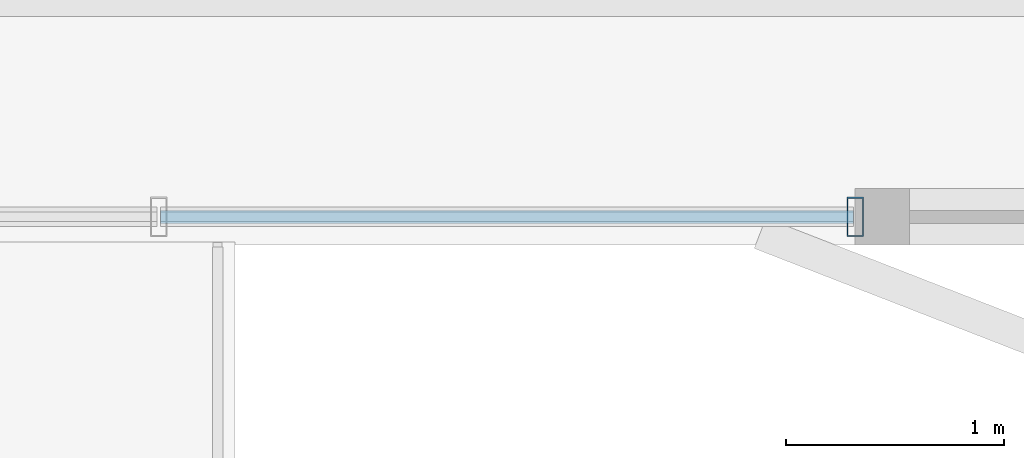
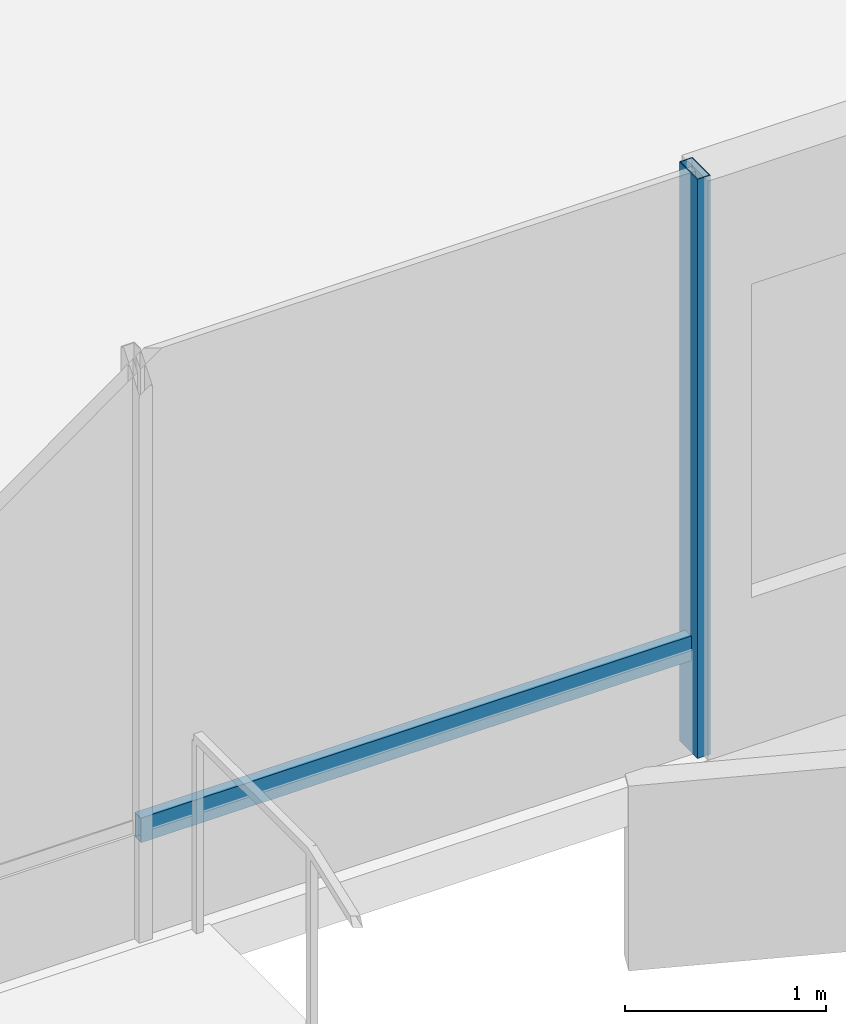
# One storey, part 4 of 20: 2 members, 1 element without a shape of its own.
"""IFC4 building model written with IfcOpenShell, lengths in metres."""

from ifc_helpers import new_model, si_unit, direction, frame, origin, origin_2d, place, context, subcontext, project, spatial, hollow_rectangle, extrude, material, layer, layer_set, material_profile, profile_set, type_object, element, aggregate, save


model = new_model("IFC4")

# Units and contexts
model_context = context("Model", 3, precision=1e-05, world=origin(), true_north=direction((0.0, 1.0)))
body_context = subcontext(model_context, "Body", "Model", "MODEL_VIEW")
ifc_project = project(units=[si_unit("LENGTHUNIT", "METRE"), si_unit("AREAUNIT", "SQUARE_METRE"), si_unit("VOLUMEUNIT", "CUBIC_METRE"), si_unit("PLANEANGLEUNIT", "RADIAN"), si_unit("MASSUNIT", "GRAM", prefix="KILO")], contexts=[model_context])

# Site, building, storey
site_placement = place(None, origin())
site = spatial("IfcSite", under=ifc_project, at=site_placement, CompositionType="ELEMENT")
building_placement = place(site_placement, origin())
building = spatial("IfcBuilding", under=site, at=building_placement, Name="Belovzor Exchange Tower", CompositionType="ELEMENT")
storey_placement = place(building_placement, frame((0.0, 0.0, 314.25)))
storey = spatial("IfcBuildingStorey", under=building, at=storey_placement, Name="L78", CompositionType="ELEMENT", Elevation=314.25)

# Curtain wall, members
ifc_material_1 = material(Name="Anodised Aluminium Framing", Category="aluminium")
ifc_layer = layer(ifc_material_1, 0.179931640625)
ifc_layer_set = layer_set([ifc_layer], Name="Anodised Aluminium Framing")
curtain_wall_type = type_object("IfcCurtainWallType", Name="Recessed Loggia Low-Iron Triple-Glazed Curtain Wall", PredefinedType="NOTDEFINED", material=ifc_layer_set)
curtain_wall_placement = place(storey_placement, origin())
curtain_wall = element("IfcCurtainWall", 1, at=curtain_wall_placement, inside=storey, type_object=curtain_wall_type, Name="CW3 Recessed Loggia Low-Iron Triple-Glazed Curtain Wall L78", PredefinedType="NOTDEFINED")
ifc_material_2 = material(Name="Steel S355", Category="steel")
ifc_material_profile_1 = material_profile(ifc_material_2, hollow_rectangle(XDim=0.074951171875, YDim=0.179931640625, WallThickness=0.0048828125, at=origin_2d()))
ifc_profile_set_1 = profile_set([ifc_material_profile_1], Name="Steel S355")
member_type_1 = type_object("IfcMemberType", Name="Thermally Broken Curtain Wall Mullion 180x75", PredefinedType="MULLION", material=ifc_profile_set_1)
member_1_placement = place(storey_placement, frame((33.60009765625, 6.1298828125, 0.0), z_axis=(0.0, 0.0, 1.0), x_axis=(-1.0, 0.0, 0.0)))
member_1 = element("IfcMember", 2, at=member_1_placement, type_object=member_type_1, Name="CW-M180 Curtain Wall Mullion 1", PredefinedType="MULLION", context=body_context, shape_type="SweptSolid", body=[
    extrude(hollow_rectangle(XDim=0.074951171875, YDim=0.179931640625, WallThickness=0.0048828125, at=origin_2d()), origin(), (0.0, 0.0, 1.0), 3.510009765625),
])
ifc_material_3 = material(Name="Steel S355", Category="steel")
ifc_material_profile_2 = material_profile(ifc_material_3, hollow_rectangle(XDim=0.06005859375, YDim=0.14990234375, WallThickness=0.00390625, at=origin_2d()))
ifc_profile_set_2 = profile_set([ifc_material_profile_2], Name="Steel S355")
member_type_2 = type_object("IfcMemberType", Name="Thermally Broken Curtain Wall Transom 150x60", PredefinedType="USERDEFINED", material=ifc_profile_set_2)
member_2_placement = place(storey_placement, frame((33.592041015625, 6.1298828125, 0.632080078125), z_axis=(-1.0, 0.0, 0.0), x_axis=(0.0, -1.0, 0.0)))
member_2 = element("IfcMember", 3, at=member_2_placement, type_object=member_type_2, Name="CW-T150 Curtain Wall Transom 1", ObjectType="TRANSOM", PredefinedType="USERDEFINED", context=body_context, shape_type="SweptSolid", body=[
    extrude(hollow_rectangle(XDim=0.06005859375, YDim=0.14990234375, WallThickness=0.00390625, at=origin_2d()), origin(), (0.0, 0.0, 1.0), 3.18408203125),
])
aggregate(curtain_wall, [member_1, member_2])

save(model, "model.ifc")
